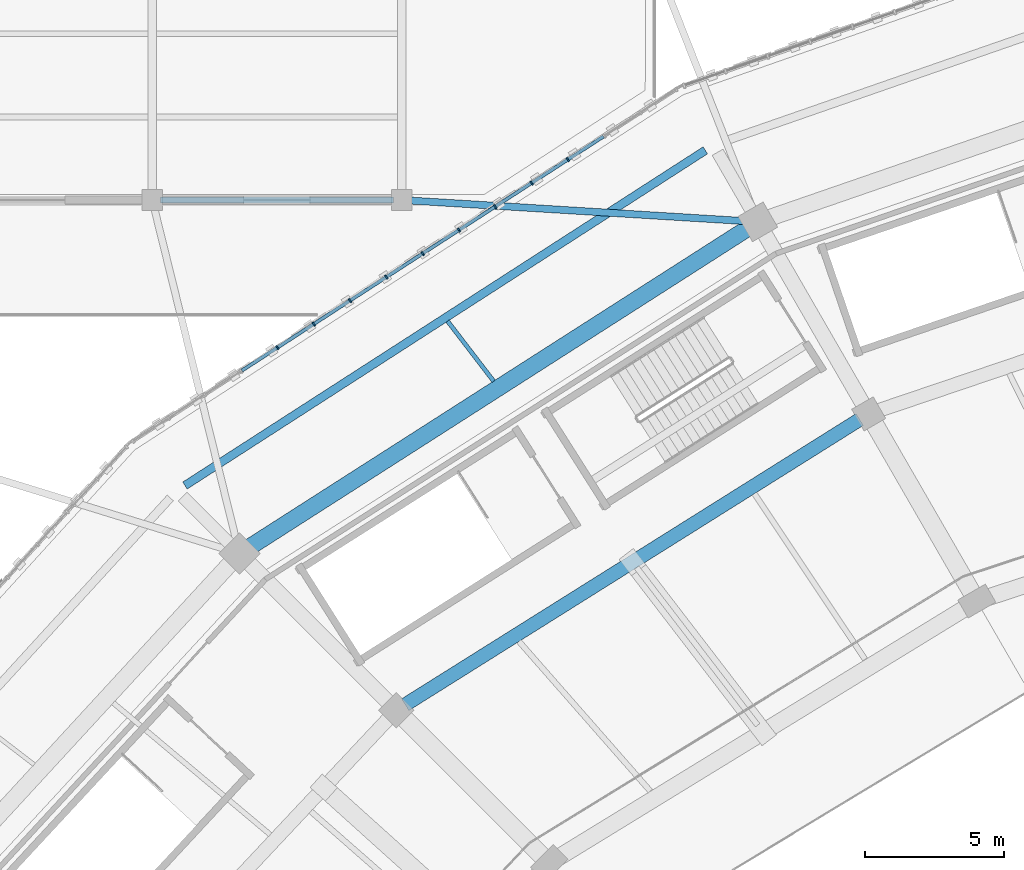
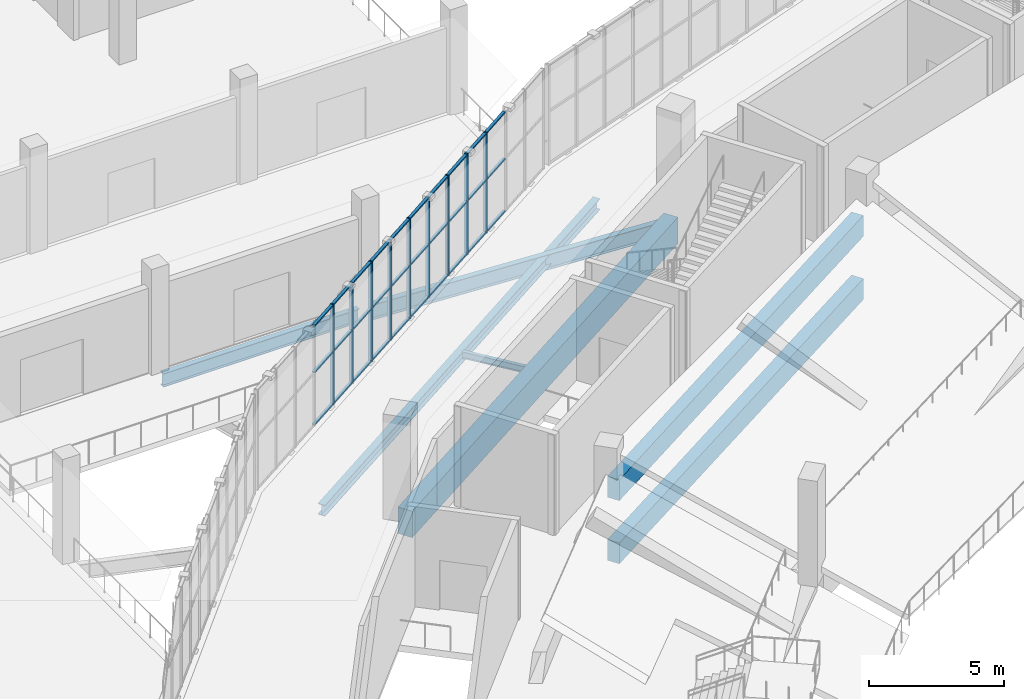
# One storey, part 49 of 152: 39 members, 7 beams, 1 element without a shape of its own.
"""IFC4 building model written with IfcOpenShell, lengths in metres."""

from ifc_helpers import new_model, si_unit, direction, frame, origin, origin_2d, place, context, subcontext, project, spatial, rectangle, i_section, extrude, material, material_profile, profile_set, type_object, element, aggregate, save


model = new_model("IFC4")

# Units and contexts
model_context = context("Model", 3, precision=1e-05, world=origin(), true_north=direction((0.0, 1.0)))
body_context = subcontext(model_context, "Body", "Model", "MODEL_VIEW")
ifc_project = project(units=[si_unit("LENGTHUNIT", "METRE"), si_unit("AREAUNIT", "SQUARE_METRE"), si_unit("VOLUMEUNIT", "CUBIC_METRE"), si_unit("PLANEANGLEUNIT", "RADIAN"), si_unit("MASSUNIT", "GRAM", prefix="KILO")], contexts=[model_context])

# Site, building, storey
site_placement = place(None, origin())
site = spatial("IfcSite", under=ifc_project, at=site_placement, CompositionType="ELEMENT")
building_placement = place(site_placement, origin())
building = spatial("IfcBuilding", under=site, at=building_placement, Name="Zevraka Park Crest Stadium", CompositionType="ELEMENT")
storey_placement = place(building_placement, frame((0.0, 0.0, 15.0)))
storey = spatial("IfcBuildingStorey", under=building, at=storey_placement, Name="L03", CompositionType="ELEMENT", Elevation=15.0)

# Beams
ifc_material_1 = material(Name="Steel S355", Category="steel")
ifc_material_profile_1 = material_profile(ifc_material_1, i_section(OverallWidth=0.253662109375, OverallDepth=0.68359375, WebThickness=0.012451171875, FlangeThickness=0.01904296875, at=origin_2d()), Name="UKB 686x254x140")
ifc_profile_set_1 = profile_set([ifc_material_profile_1], Name="Steel S355")
beam_type_1 = type_object("IfcBeamType", Name="BG05", PredefinedType="BEAM", material=ifc_profile_set_1)
beam_1_placement = place(storey_placement, frame((54.199951171875, 157.988037109375, -0.649658203125), z_axis=(0.998122867072, -0.061243303531, 0.0), x_axis=(0.061243303531, 0.998122867072, 0.0)))
element("IfcBeam", 1, at=beam_1_placement, inside=storey, type_object=beam_type_1, Name="Wing Link Girder BG05 L03-7/T", PredefinedType="BEAM", context=body_context, shape_type="SweptSolid", body=[
    extrude(i_section(OverallWidth=0.253662109375, OverallDepth=0.68359375, WebThickness=0.012451171875, FlangeThickness=0.01904296875, at=origin_2d()), origin(), (0.0, 0.0, 1.0), 12.294189453125),
])
ifc_material_2 = material(Name="Steel S355", Category="steel")
ifc_material_profile_2 = material_profile(ifc_material_2, i_section(OverallWidth=0.22900390625, OverallDepth=0.612060546875, WebThickness=0.011962890625, FlangeThickness=0.01953125, at=origin_2d()), Name="UKB 610x229x125")
ifc_profile_set_2 = profile_set([ifc_material_profile_2], Name="Steel S355")
beam_type_2 = type_object("IfcBeamType", Name="BG09", PredefinedType="BEAM", material=ifc_profile_set_2)
beam_2_placement = place(storey_placement, frame((45.300048828125, 158.0, -0.614013671875), z_axis=(1.0, 0.0, 0.0), x_axis=(0.0, 1.0, 0.0)))
element("IfcBeam", 2, at=beam_2_placement, inside=storey, type_object=beam_type_2, Name="Wing Girder BG09 L03-67/T", PredefinedType="BEAM", context=body_context, shape_type="SweptSolid", body=[
    extrude(i_section(OverallWidth=0.22900390625, OverallDepth=0.612060546875, WebThickness=0.011962890625, FlangeThickness=0.01953125, at=origin_2d()), origin(), (0.0, 0.0, 1.0), 8.39990234375),
])

# Curtain wall, members
ifc_material_3 = material(Name="Anodised architectural aluminium and laminated safety glass", Category="aluminium")
curtain_wall_type = type_object("IfcCurtainWallType", Name="CW13", PredefinedType="NOTDEFINED", material=ifc_material_3)
curtain_wall_placement = place(storey_placement, origin())
curtain_wall = element("IfcCurtainWall", 3, at=curtain_wall_placement, inside=storey, type_object=curtain_wall_type, Name="Unitised Ring Curtain Wall CW13 L03-08", PredefinedType="NOTDEFINED")
ifc_material_4 = material(Name="Anodised architectural aluminium", Category="aluminium")
ifc_material_profile_3 = material_profile(ifc_material_4, rectangle(XDim=0.159912109375, YDim=0.06005859375, at=origin_2d()), Name="ALU MULLION 160x60")
ifc_profile_set_3 = profile_set([ifc_material_profile_3], Name="Anodised architectural aluminium")
member_type_1 = type_object("IfcMemberType", Name="CM01", PredefinedType="MULLION", material=ifc_profile_set_3)
member_1_placement = place(storey_placement, frame((59.99658203125, 159.4609375, 0.0), z_axis=(0.0, 0.0, 1.0), x_axis=(0.543469160232, -0.839429134517, 0.0)))
member_1 = element("IfcMember", 4, at=member_1_placement, type_object=member_type_1, Name="CW13 mullion 4", PredefinedType="MULLION", context=body_context, shape_type="SweptSolid", body=[
    extrude(rectangle(XDim=0.159912109375, YDim=0.06005859375, at=origin_2d()), origin(), (0.0, 0.0, 1.0), 4.5400390625),
])
member_2_placement = place(storey_placement, frame((58.686767578125, 158.613037109375, 0.0), z_axis=(0.0, 0.0, 1.0), x_axis=(0.543469160232, -0.839429134517, 0.0)))
member_2 = element("IfcMember", 5, at=member_2_placement, type_object=member_type_1, Name="CW13 mullion 5", PredefinedType="MULLION", context=body_context, shape_type="SweptSolid", body=[
    extrude(rectangle(XDim=0.159912109375, YDim=0.06005859375, at=origin_2d()), origin(), (0.0, 0.0, 1.0), 4.5400390625),
])
member_3_placement = place(storey_placement, frame((57.376953125, 157.764892578125, 0.0), z_axis=(0.0, 0.0, 1.0), x_axis=(0.543469160232, -0.839429134517, 0.0)))
member_3 = element("IfcMember", 6, at=member_3_placement, type_object=member_type_1, Name="CW13 mullion 6", PredefinedType="MULLION", context=body_context, shape_type="SweptSolid", body=[
    extrude(rectangle(XDim=0.159912109375, YDim=0.06005859375, at=origin_2d()), origin(), (0.0, 0.0, 1.0), 4.5400390625),
])
member_4_placement = place(storey_placement, frame((56.067138671875, 156.9169921875, 0.0), z_axis=(0.0, 0.0, 1.0), x_axis=(0.543469160232, -0.839429134517, 0.0)))
member_4 = element("IfcMember", 7, at=member_4_placement, type_object=member_type_1, Name="CW13 mullion 7", PredefinedType="MULLION", context=body_context, shape_type="SweptSolid", body=[
    extrude(rectangle(XDim=0.159912109375, YDim=0.06005859375, at=origin_2d()), origin(), (0.0, 0.0, 1.0), 4.5400390625),
])
member_5_placement = place(storey_placement, frame((54.75732421875, 156.069091796875, 0.0), z_axis=(0.0, 0.0, 1.0), x_axis=(0.543469160232, -0.839429134517, 0.0)))
member_5 = element("IfcMember", 8, at=member_5_placement, type_object=member_type_1, Name="CW13 mullion 8", PredefinedType="MULLION", context=body_context, shape_type="SweptSolid", body=[
    extrude(rectangle(XDim=0.159912109375, YDim=0.06005859375, at=origin_2d()), origin(), (0.0, 0.0, 1.0), 4.5400390625),
])
member_6_placement = place(storey_placement, frame((53.447509765625, 155.220947265625, 0.0), z_axis=(0.0, 0.0, 1.0), x_axis=(0.543469160232, -0.839429134517, 0.0)))
member_6 = element("IfcMember", 9, at=member_6_placement, type_object=member_type_1, Name="CW13 mullion 9", PredefinedType="MULLION", context=body_context, shape_type="SweptSolid", body=[
    extrude(rectangle(XDim=0.159912109375, YDim=0.06005859375, at=origin_2d()), origin(), (0.0, 0.0, 1.0), 4.5400390625),
])
member_7_placement = place(storey_placement, frame((52.1376953125, 154.373046875, 0.0), z_axis=(0.0, 0.0, 1.0), x_axis=(0.543469160232, -0.839429134517, 0.0)))
member_7 = element("IfcMember", 10, at=member_7_placement, type_object=member_type_1, Name="CW13 mullion 10", PredefinedType="MULLION", context=body_context, shape_type="SweptSolid", body=[
    extrude(rectangle(XDim=0.159912109375, YDim=0.06005859375, at=origin_2d()), origin(), (0.0, 0.0, 1.0), 4.5400390625),
])
member_8_placement = place(storey_placement, frame((50.827880859375, 153.52490234375, 0.0), z_axis=(0.0, 0.0, 1.0), x_axis=(0.543469160232, -0.839429134517, 0.0)))
member_8 = element("IfcMember", 11, at=member_8_placement, type_object=member_type_1, Name="CW13 mullion 11", PredefinedType="MULLION", context=body_context, shape_type="SweptSolid", body=[
    extrude(rectangle(XDim=0.159912109375, YDim=0.06005859375, at=origin_2d()), origin(), (0.0, 0.0, 1.0), 4.5400390625),
])
member_9_placement = place(storey_placement, frame((49.518310546875, 152.677001953125, 0.0), z_axis=(0.0, 0.0, 1.0), x_axis=(0.543469160232, -0.839429134517, 0.0)))
member_9 = element("IfcMember", 12, at=member_9_placement, type_object=member_type_1, Name="CW13 mullion 12", PredefinedType="MULLION", context=body_context, shape_type="SweptSolid", body=[
    extrude(rectangle(XDim=0.159912109375, YDim=0.06005859375, at=origin_2d()), origin(), (0.0, 0.0, 1.0), 4.5400390625),
])
ifc_material_5 = material(Name="Anodised architectural aluminium", Category="aluminium")
ifc_material_profile_4 = material_profile(ifc_material_5, rectangle(XDim=0.1201171875, YDim=0.06005859375, at=origin_2d()), Name="ALU TRANSOM 120x60")
ifc_profile_set_4 = profile_set([ifc_material_profile_4], Name="Anodised architectural aluminium")
member_type_2 = type_object("IfcMemberType", Name="CT01", PredefinedType="USERDEFINED", material=ifc_profile_set_4)
member_10_placement = place(storey_placement, frame((61.28125, 160.292724609375, 0.030029296875), z_axis=(-0.839434801762, -0.543460406645, 0.0), x_axis=(0.543460406645, -0.839434801762, 0.0)))
member_10 = element("IfcMember", 13, at=member_10_placement, type_object=member_type_2, Name="CW13 transom 3.1", ObjectType="TRANSOM", PredefinedType="USERDEFINED", context=body_context, shape_type="SweptSolid", body=[
    extrude(rectangle(XDim=0.1201171875, YDim=0.06005859375, at=origin_2d()), origin(), (0.0, 0.0, 1.0), 1.50048828125),
])
member_11_placement = place(storey_placement, frame((61.28125, 160.292724609375, 2.39990234375), z_axis=(-0.839434801762, -0.543460406645, 0.0), x_axis=(0.543460406645, -0.839434801762, 0.0)))
member_11 = element("IfcMember", 14, at=member_11_placement, type_object=member_type_2, Name="CW13 transom 3.2", ObjectType="TRANSOM", PredefinedType="USERDEFINED", context=body_context, shape_type="SweptSolid", body=[
    extrude(rectangle(XDim=0.1201171875, YDim=0.06005859375, at=origin_2d()), origin(), (0.0, 0.0, 1.0), 1.50048828125),
])
member_12_placement = place(storey_placement, frame((61.28125, 160.292724609375, 4.510009765625), z_axis=(-0.839434801762, -0.543460406645, 0.0), x_axis=(0.543460406645, -0.839434801762, 0.0)))
member_12 = element("IfcMember", 15, at=member_12_placement, type_object=member_type_2, Name="CW13 transom 3.3", ObjectType="TRANSOM", PredefinedType="USERDEFINED", context=body_context, shape_type="SweptSolid", body=[
    extrude(rectangle(XDim=0.1201171875, YDim=0.06005859375, at=origin_2d()), origin(), (0.0, 0.0, 1.0), 1.50048828125),
])
member_13_placement = place(storey_placement, frame((59.971435546875, 159.444580078125, 0.030029296875), z_axis=(-0.839509029958, -0.543345735807, 0.0), x_axis=(0.543345735807, -0.839509029958, 0.0)))
member_13 = element("IfcMember", 16, at=member_13_placement, type_object=member_type_2, Name="CW13 transom 4.1", ObjectType="TRANSOM", PredefinedType="USERDEFINED", context=body_context, shape_type="SweptSolid", body=[
    extrude(rectangle(XDim=0.1201171875, YDim=0.06005859375, at=origin_2d()), origin(), (0.0, 0.0, 1.0), 1.500244140625),
])
member_14_placement = place(storey_placement, frame((59.971435546875, 159.444580078125, 2.39990234375), z_axis=(-0.839509029958, -0.543345735807, 0.0), x_axis=(0.543345735807, -0.839509029958, 0.0)))
member_14 = element("IfcMember", 17, at=member_14_placement, type_object=member_type_2, Name="CW13 transom 4.2", ObjectType="TRANSOM", PredefinedType="USERDEFINED", context=body_context, shape_type="SweptSolid", body=[
    extrude(rectangle(XDim=0.1201171875, YDim=0.06005859375, at=origin_2d()), origin(), (0.0, 0.0, 1.0), 1.500244140625),
])
member_15_placement = place(storey_placement, frame((59.971435546875, 159.444580078125, 4.510009765625), z_axis=(-0.839509029958, -0.543345735807, 0.0), x_axis=(0.543345735807, -0.839509029958, 0.0)))
member_15 = element("IfcMember", 18, at=member_15_placement, type_object=member_type_2, Name="CW13 transom 4.3", ObjectType="TRANSOM", PredefinedType="USERDEFINED", context=body_context, shape_type="SweptSolid", body=[
    extrude(rectangle(XDim=0.1201171875, YDim=0.06005859375, at=origin_2d()), origin(), (0.0, 0.0, 1.0), 1.500244140625),
])
member_16_placement = place(storey_placement, frame((58.66162109375, 158.5966796875, 0.030029296875), z_axis=(-0.839434801762, -0.543460406645, 0.0), x_axis=(0.543460406645, -0.839434801762, 0.0)))
member_16 = element("IfcMember", 19, at=member_16_placement, type_object=member_type_2, Name="CW13 transom 5.1", ObjectType="TRANSOM", PredefinedType="USERDEFINED", context=body_context, shape_type="SweptSolid", body=[
    extrude(rectangle(XDim=0.1201171875, YDim=0.06005859375, at=origin_2d()), origin(), (0.0, 0.0, 1.0), 1.50048828125),
])
member_17_placement = place(storey_placement, frame((58.66162109375, 158.5966796875, 2.39990234375), z_axis=(-0.839434801762, -0.543460406645, 0.0), x_axis=(0.543460406645, -0.839434801762, 0.0)))
member_17 = element("IfcMember", 20, at=member_17_placement, type_object=member_type_2, Name="CW13 transom 5.2", ObjectType="TRANSOM", PredefinedType="USERDEFINED", context=body_context, shape_type="SweptSolid", body=[
    extrude(rectangle(XDim=0.1201171875, YDim=0.06005859375, at=origin_2d()), origin(), (0.0, 0.0, 1.0), 1.50048828125),
])
member_18_placement = place(storey_placement, frame((58.66162109375, 158.5966796875, 4.510009765625), z_axis=(-0.839434801762, -0.543460406645, 0.0), x_axis=(0.543460406645, -0.839434801762, 0.0)))
member_18 = element("IfcMember", 21, at=member_18_placement, type_object=member_type_2, Name="CW13 transom 5.3", ObjectType="TRANSOM", PredefinedType="USERDEFINED", context=body_context, shape_type="SweptSolid", body=[
    extrude(rectangle(XDim=0.1201171875, YDim=0.06005859375, at=origin_2d()), origin(), (0.0, 0.0, 1.0), 1.50048828125),
])
member_19_placement = place(storey_placement, frame((57.351806640625, 157.748779296875, 0.030029296875), z_axis=(-0.839434801762, -0.543460406645, 0.0), x_axis=(0.543460406645, -0.839434801762, 0.0)))
member_19 = element("IfcMember", 22, at=member_19_placement, type_object=member_type_2, Name="CW13 transom 6.1", ObjectType="TRANSOM", PredefinedType="USERDEFINED", context=body_context, shape_type="SweptSolid", body=[
    extrude(rectangle(XDim=0.1201171875, YDim=0.06005859375, at=origin_2d()), origin(), (0.0, 0.0, 1.0), 1.50048828125),
])
member_20_placement = place(storey_placement, frame((57.351806640625, 157.748779296875, 2.39990234375), z_axis=(-0.839434801762, -0.543460406645, 0.0), x_axis=(0.543460406645, -0.839434801762, 0.0)))
member_20 = element("IfcMember", 23, at=member_20_placement, type_object=member_type_2, Name="CW13 transom 6.2", ObjectType="TRANSOM", PredefinedType="USERDEFINED", context=body_context, shape_type="SweptSolid", body=[
    extrude(rectangle(XDim=0.1201171875, YDim=0.06005859375, at=origin_2d()), origin(), (0.0, 0.0, 1.0), 1.50048828125),
])
member_21_placement = place(storey_placement, frame((57.351806640625, 157.748779296875, 4.510009765625), z_axis=(-0.839434801762, -0.543460406645, 0.0), x_axis=(0.543460406645, -0.839434801762, 0.0)))
member_21 = element("IfcMember", 24, at=member_21_placement, type_object=member_type_2, Name="CW13 transom 6.3", ObjectType="TRANSOM", PredefinedType="USERDEFINED", context=body_context, shape_type="SweptSolid", body=[
    extrude(rectangle(XDim=0.1201171875, YDim=0.06005859375, at=origin_2d()), origin(), (0.0, 0.0, 1.0), 1.50048828125),
])
member_22_placement = place(storey_placement, frame((56.0419921875, 156.900634765625, 0.030029296875), z_axis=(-0.839434801762, -0.543460406645, 0.0), x_axis=(0.543460406645, -0.839434801762, 0.0)))
member_22 = element("IfcMember", 25, at=member_22_placement, type_object=member_type_2, Name="CW13 transom 7.1", ObjectType="TRANSOM", PredefinedType="USERDEFINED", context=body_context, shape_type="SweptSolid", body=[
    extrude(rectangle(XDim=0.1201171875, YDim=0.06005859375, at=origin_2d()), origin(), (0.0, 0.0, 1.0), 1.50048828125),
])
member_23_placement = place(storey_placement, frame((56.0419921875, 156.900634765625, 2.39990234375), z_axis=(-0.839434801762, -0.543460406645, 0.0), x_axis=(0.543460406645, -0.839434801762, 0.0)))
member_23 = element("IfcMember", 26, at=member_23_placement, type_object=member_type_2, Name="CW13 transom 7.2", ObjectType="TRANSOM", PredefinedType="USERDEFINED", context=body_context, shape_type="SweptSolid", body=[
    extrude(rectangle(XDim=0.1201171875, YDim=0.06005859375, at=origin_2d()), origin(), (0.0, 0.0, 1.0), 1.50048828125),
])
member_24_placement = place(storey_placement, frame((56.0419921875, 156.900634765625, 4.510009765625), z_axis=(-0.839434801762, -0.543460406645, 0.0), x_axis=(0.543460406645, -0.839434801762, 0.0)))
member_24 = element("IfcMember", 27, at=member_24_placement, type_object=member_type_2, Name="CW13 transom 7.3", ObjectType="TRANSOM", PredefinedType="USERDEFINED", context=body_context, shape_type="SweptSolid", body=[
    extrude(rectangle(XDim=0.1201171875, YDim=0.06005859375, at=origin_2d()), origin(), (0.0, 0.0, 1.0), 1.50048828125),
])
member_25_placement = place(storey_placement, frame((54.732177734375, 156.052734375, 0.030029296875), z_axis=(-0.839386734847, -0.543534644124, 0.0), x_axis=(0.543534644124, -0.839386734847, 0.0)))
member_25 = element("IfcMember", 28, at=member_25_placement, type_object=member_type_2, Name="CW13 transom 8.1", ObjectType="TRANSOM", PredefinedType="USERDEFINED", context=body_context, shape_type="SweptSolid", body=[
    extrude(rectangle(XDim=0.1201171875, YDim=0.06005859375, at=origin_2d()), origin(), (0.0, 0.0, 1.0), 1.500244140625),
])
member_26_placement = place(storey_placement, frame((54.732177734375, 156.052734375, 2.39990234375), z_axis=(-0.839386734847, -0.543534644124, 0.0), x_axis=(0.543534644124, -0.839386734847, 0.0)))
member_26 = element("IfcMember", 29, at=member_26_placement, type_object=member_type_2, Name="CW13 transom 8.2", ObjectType="TRANSOM", PredefinedType="USERDEFINED", context=body_context, shape_type="SweptSolid", body=[
    extrude(rectangle(XDim=0.1201171875, YDim=0.06005859375, at=origin_2d()), origin(), (0.0, 0.0, 1.0), 1.500244140625),
])
member_27_placement = place(storey_placement, frame((54.732177734375, 156.052734375, 4.510009765625), z_axis=(-0.839386734847, -0.543534644124, 0.0), x_axis=(0.543534644124, -0.839386734847, 0.0)))
member_27 = element("IfcMember", 30, at=member_27_placement, type_object=member_type_2, Name="CW13 transom 8.3", ObjectType="TRANSOM", PredefinedType="USERDEFINED", context=body_context, shape_type="SweptSolid", body=[
    extrude(rectangle(XDim=0.1201171875, YDim=0.06005859375, at=origin_2d()), origin(), (0.0, 0.0, 1.0), 1.500244140625),
])
member_28_placement = place(storey_placement, frame((53.42236328125, 155.20458984375, 0.030029296875), z_axis=(-0.839460979075, -0.543419970751, 0.0), x_axis=(0.543419970751, -0.839460979075, 0.0)))
member_28 = element("IfcMember", 31, at=member_28_placement, type_object=member_type_2, Name="CW13 transom 9.1", ObjectType="TRANSOM", PredefinedType="USERDEFINED", context=body_context, shape_type="SweptSolid", body=[
    extrude(rectangle(XDim=0.1201171875, YDim=0.06005859375, at=origin_2d()), origin(), (0.0, 0.0, 1.0), 1.5),
])
member_29_placement = place(storey_placement, frame((53.42236328125, 155.20458984375, 2.39990234375), z_axis=(-0.839460979075, -0.543419970751, 0.0), x_axis=(0.543419970751, -0.839460979075, 0.0)))
member_29 = element("IfcMember", 32, at=member_29_placement, type_object=member_type_2, Name="CW13 transom 9.2", ObjectType="TRANSOM", PredefinedType="USERDEFINED", context=body_context, shape_type="SweptSolid", body=[
    extrude(rectangle(XDim=0.1201171875, YDim=0.06005859375, at=origin_2d()), origin(), (0.0, 0.0, 1.0), 1.5),
])
member_30_placement = place(storey_placement, frame((53.42236328125, 155.20458984375, 4.510009765625), z_axis=(-0.839460979075, -0.543419970751, 0.0), x_axis=(0.543419970751, -0.839460979075, 0.0)))
member_30 = element("IfcMember", 33, at=member_30_placement, type_object=member_type_2, Name="CW13 transom 9.3", ObjectType="TRANSOM", PredefinedType="USERDEFINED", context=body_context, shape_type="SweptSolid", body=[
    extrude(rectangle(XDim=0.1201171875, YDim=0.06005859375, at=origin_2d()), origin(), (0.0, 0.0, 1.0), 1.5),
])
member_31_placement = place(storey_placement, frame((52.112548828125, 154.356689453125, 0.030029296875), z_axis=(-0.839386734847, -0.543534644124, 0.0), x_axis=(0.543534644124, -0.839386734847, 0.0)))
member_31 = element("IfcMember", 34, at=member_31_placement, type_object=member_type_2, Name="CW13 transom 10.1", ObjectType="TRANSOM", PredefinedType="USERDEFINED", context=body_context, shape_type="SweptSolid", body=[
    extrude(rectangle(XDim=0.1201171875, YDim=0.06005859375, at=origin_2d()), origin(), (0.0, 0.0, 1.0), 1.500244140625),
])
member_32_placement = place(storey_placement, frame((52.112548828125, 154.356689453125, 2.39990234375), z_axis=(-0.839386734847, -0.543534644124, 0.0), x_axis=(0.543534644124, -0.839386734847, 0.0)))
member_32 = element("IfcMember", 35, at=member_32_placement, type_object=member_type_2, Name="CW13 transom 10.2", ObjectType="TRANSOM", PredefinedType="USERDEFINED", context=body_context, shape_type="SweptSolid", body=[
    extrude(rectangle(XDim=0.1201171875, YDim=0.06005859375, at=origin_2d()), origin(), (0.0, 0.0, 1.0), 1.500244140625),
])
member_33_placement = place(storey_placement, frame((52.112548828125, 154.356689453125, 4.510009765625), z_axis=(-0.839386734847, -0.543534644124, 0.0), x_axis=(0.543534644124, -0.839386734847, 0.0)))
member_33 = element("IfcMember", 36, at=member_33_placement, type_object=member_type_2, Name="CW13 transom 10.3", ObjectType="TRANSOM", PredefinedType="USERDEFINED", context=body_context, shape_type="SweptSolid", body=[
    extrude(rectangle(XDim=0.1201171875, YDim=0.06005859375, at=origin_2d()), origin(), (0.0, 0.0, 1.0), 1.500244140625),
])
member_34_placement = place(storey_placement, frame((50.802734375, 153.5087890625, 0.030029296875), z_axis=(-0.839386734847, -0.543534644124, 0.0), x_axis=(0.543534644124, -0.839386734847, 0.0)))
member_34 = element("IfcMember", 37, at=member_34_placement, type_object=member_type_2, Name="CW13 transom 11.1", ObjectType="TRANSOM", PredefinedType="USERDEFINED", context=body_context, shape_type="SweptSolid", body=[
    extrude(rectangle(XDim=0.1201171875, YDim=0.06005859375, at=origin_2d()), origin(), (0.0, 0.0, 1.0), 1.500244140625),
])
member_35_placement = place(storey_placement, frame((50.802734375, 153.5087890625, 2.39990234375), z_axis=(-0.839386734847, -0.543534644124, 0.0), x_axis=(0.543534644124, -0.839386734847, 0.0)))
member_35 = element("IfcMember", 38, at=member_35_placement, type_object=member_type_2, Name="CW13 transom 11.2", ObjectType="TRANSOM", PredefinedType="USERDEFINED", context=body_context, shape_type="SweptSolid", body=[
    extrude(rectangle(XDim=0.1201171875, YDim=0.06005859375, at=origin_2d()), origin(), (0.0, 0.0, 1.0), 1.500244140625),
])
member_36_placement = place(storey_placement, frame((50.802734375, 153.5087890625, 4.510009765625), z_axis=(-0.839386734847, -0.543534644124, 0.0), x_axis=(0.543534644124, -0.839386734847, 0.0)))
member_36 = element("IfcMember", 39, at=member_36_placement, type_object=member_type_2, Name="CW13 transom 11.3", ObjectType="TRANSOM", PredefinedType="USERDEFINED", context=body_context, shape_type="SweptSolid", body=[
    extrude(rectangle(XDim=0.1201171875, YDim=0.06005859375, at=origin_2d()), origin(), (0.0, 0.0, 1.0), 1.500244140625),
])
member_37_placement = place(storey_placement, frame((49.492919921875, 152.66064453125, 0.030029296875), z_axis=(-0.839386734847, -0.543534644124, 0.0), x_axis=(0.543534644124, -0.839386734847, 0.0)))
member_37 = element("IfcMember", 40, at=member_37_placement, type_object=member_type_2, Name="CW13 transom 12.1", ObjectType="TRANSOM", PredefinedType="USERDEFINED", context=body_context, shape_type="SweptSolid", body=[
    extrude(rectangle(XDim=0.1201171875, YDim=0.06005859375, at=origin_2d()), origin(), (0.0, 0.0, 1.0), 1.500244140625),
])
member_38_placement = place(storey_placement, frame((49.492919921875, 152.66064453125, 2.39990234375), z_axis=(-0.839386734847, -0.543534644124, 0.0), x_axis=(0.543534644124, -0.839386734847, 0.0)))
member_38 = element("IfcMember", 41, at=member_38_placement, type_object=member_type_2, Name="CW13 transom 12.2", ObjectType="TRANSOM", PredefinedType="USERDEFINED", context=body_context, shape_type="SweptSolid", body=[
    extrude(rectangle(XDim=0.1201171875, YDim=0.06005859375, at=origin_2d()), origin(), (0.0, 0.0, 1.0), 1.500244140625),
])
member_39_placement = place(storey_placement, frame((49.492919921875, 152.66064453125, 4.510009765625), z_axis=(-0.839386734847, -0.543534644124, 0.0), x_axis=(0.543534644124, -0.839386734847, 0.0)))
member_39 = element("IfcMember", 42, at=member_39_placement, type_object=member_type_2, Name="CW13 transom 12.3", ObjectType="TRANSOM", PredefinedType="USERDEFINED", context=body_context, shape_type="SweptSolid", body=[
    extrude(rectangle(XDim=0.1201171875, YDim=0.06005859375, at=origin_2d()), origin(), (0.0, 0.0, 1.0), 1.500244140625),
])
aggregate(curtain_wall, [member_1, member_2, member_3, member_4, member_5, member_6, member_7, member_8, member_9, member_10, member_11, member_12, member_13, member_14, member_15, member_16, member_17, member_18, member_19, member_20, member_21, member_22, member_23, member_24, member_25, member_26, member_27, member_28, member_29, member_30, member_31, member_32, member_33, member_34, member_35, member_36, member_37, member_38, member_39])

# Beams
ifc_material_6 = material(Name="Concrete C40/50", Category="concrete")
ifc_material_profile_5 = material_profile(ifc_material_6, rectangle(XDim=0.60009765625, YDim=1.199951171875, at=origin_2d()), Name="RC 1200x600")
ifc_profile_set_5 = profile_set([ifc_material_profile_5], Name="Concrete C40/50")
beam_type_3 = type_object("IfcBeamType", Name="RB01", PredefinedType="BEAM", material=ifc_profile_set_5)
beam_3_placement = place(storey_placement, frame((66.530029296875, 157.007080078125, -0.610107421875), z_axis=(-0.842325571453, -0.538969045193, 0.0), x_axis=(0.538969045193, -0.842325571453, 0.0)))
element("IfcBeam", 43, at=beam_3_placement, inside=storey, type_object=beam_type_3, Name="Ring Beam RB01 L03-D-08", PredefinedType="BEAM", context=body_context, shape_type="SweptSolid", body=[
    extrude(rectangle(XDim=0.60009765625, YDim=1.199951171875, at=origin_2d()), origin(), (0.0, 0.0, 1.0), 21.443115234375),
])
ifc_material_7 = material(Name="Concrete C40/50", Category="concrete")
ifc_material_profile_6 = material_profile(ifc_material_7, rectangle(XDim=0.5, YDim=0.949951171875, at=origin_2d()), Name="RC 950x500")
ifc_profile_set_6 = profile_set([ifc_material_profile_6], Name="Concrete C40/50")
beam_type_4 = type_object("IfcBeamType", Name="RB02", PredefinedType="BEAM", material=ifc_profile_set_6)
for number, where, z_axis, x_axis, name in (
    (44, (70.528076171875, 150.08203125, -0.485107421875), (-0.847038516183, -0.531531515625, 0.0), (0.531531515625, -0.847038516183, 0.0), "Ring Beam RB02 L03-C-08"),
    (45, (70.528076171875, 150.08203125, 2.375), (-0.847038516183, -0.531531515625, 0.0), (0.531531515625, -0.847038516183, 0.0), "Upper Tier Head Raker Ring Beam RB02 08"),
):
    element("IfcBeam", number, at=place(storey_placement, frame(where, z_axis=z_axis, x_axis=x_axis)), inside=storey, type_object=beam_type_4, Name=name, PredefinedType="BEAM", context=body_context, shape_type="SweptSolid", body=[
        extrude(rectangle(XDim=0.5, YDim=0.949951171875, at=origin_2d()), origin(), (0.0, 0.0, 1.0), 19.36279296875),
    ])
ifc_material_8 = material(Name="Steel S355", Category="steel")
ifc_material_profile_7 = material_profile(ifc_material_8, i_section(OverallWidth=0.300048828125, OverallDepth=0.5, WebThickness=0.014404296875, FlangeThickness=0.028076171875, at=origin_2d()), Name="HEB 500")
ifc_profile_set_7 = profile_set([ifc_material_profile_7], Name="Steel S355")
beam_type_5 = type_object("IfcBeamType", Name="RB05", PredefinedType="BEAM", material=ifc_profile_set_7)
beam_4_placement = place(storey_placement, frame((64.9560546875, 159.79296875, -0.60498046875), z_axis=(-0.840676981124, -0.541536899396, 0.0), x_axis=(0.541536899396, -0.840676981124, 0.0)))
element("IfcBeam", 46, at=beam_4_placement, inside=storey, type_object=beam_type_5, Name="Ring Beam RB05 L03-E-08", PredefinedType="BEAM", context=body_context, shape_type="SweptSolid", body=[
    extrude(i_section(OverallWidth=0.300048828125, OverallDepth=0.5, WebThickness=0.014404296875, FlangeThickness=0.028076171875, at=origin_2d()), origin(), (0.0, 0.0, 1.0), 22.33447265625),
])
ifc_material_9 = material(Name="Steel S355", Category="steel")
ifc_material_profile_8 = material_profile(ifc_material_9, i_section(OverallWidth=0.14990234375, OverallDepth=0.300048828125, WebThickness=0.007080078125, FlangeThickness=0.0107421875, at=origin_2d()), Name="IPE 300")
ifc_profile_set_8 = profile_set([ifc_material_profile_8], Name="Steel S355")
beam_type_6 = type_object("IfcBeamType", Name="SJ01", PredefinedType="JOIST", material=ifc_profile_set_8)
beam_5_placement = place(storey_placement, frame((57.319091796875, 151.462890625, -0.4580078125), z_axis=(-0.608829249804, 0.793301294959, 0.0), x_axis=(-0.793301294959, -0.608829249804, 0.0)))
element("IfcBeam", 47, at=beam_5_placement, inside=storey, type_object=beam_type_6, Name="Floor Joist SJ01 L03-DE-08-1", PredefinedType="JOIST", context=body_context, shape_type="SweptSolid", body=[
    extrude(i_section(OverallWidth=0.14990234375, OverallDepth=0.300048828125, WebThickness=0.007080078125, FlangeThickness=0.0107421875, at=origin_2d()), origin(), (0.0, 0.0, 1.0), 2.731689453125),
])

save(model, "model.ifc")
